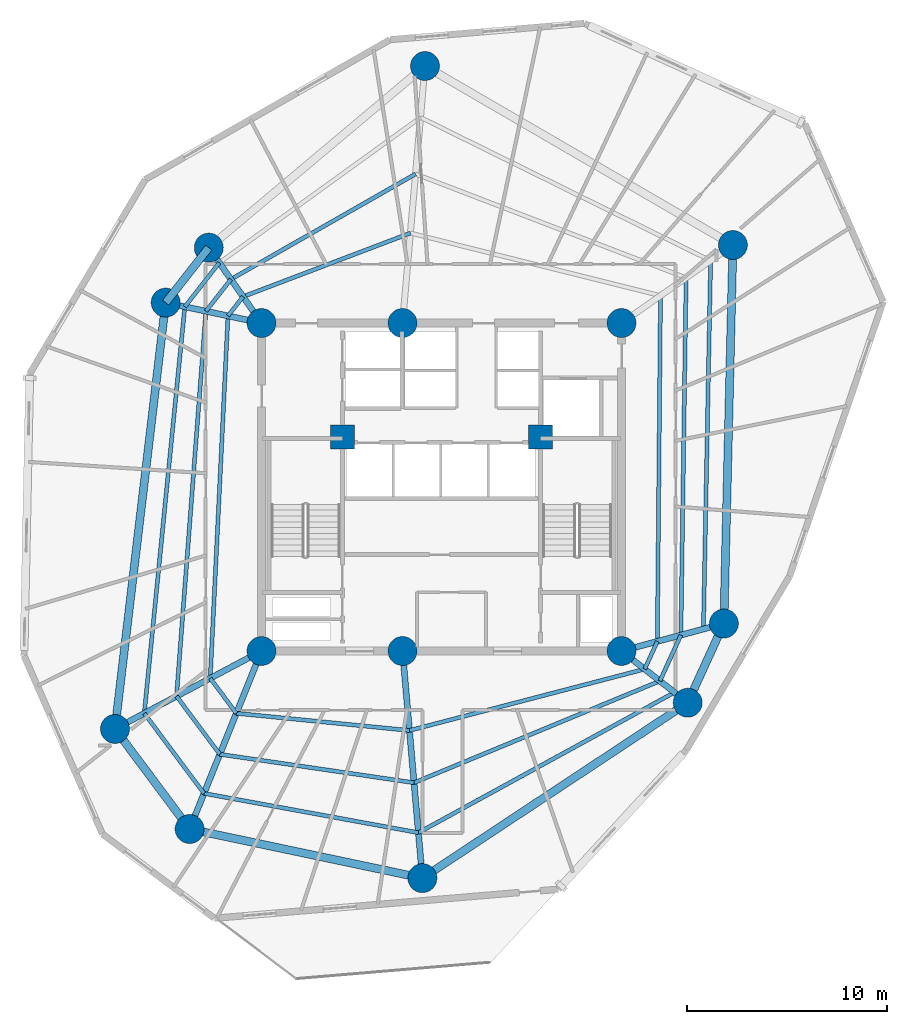
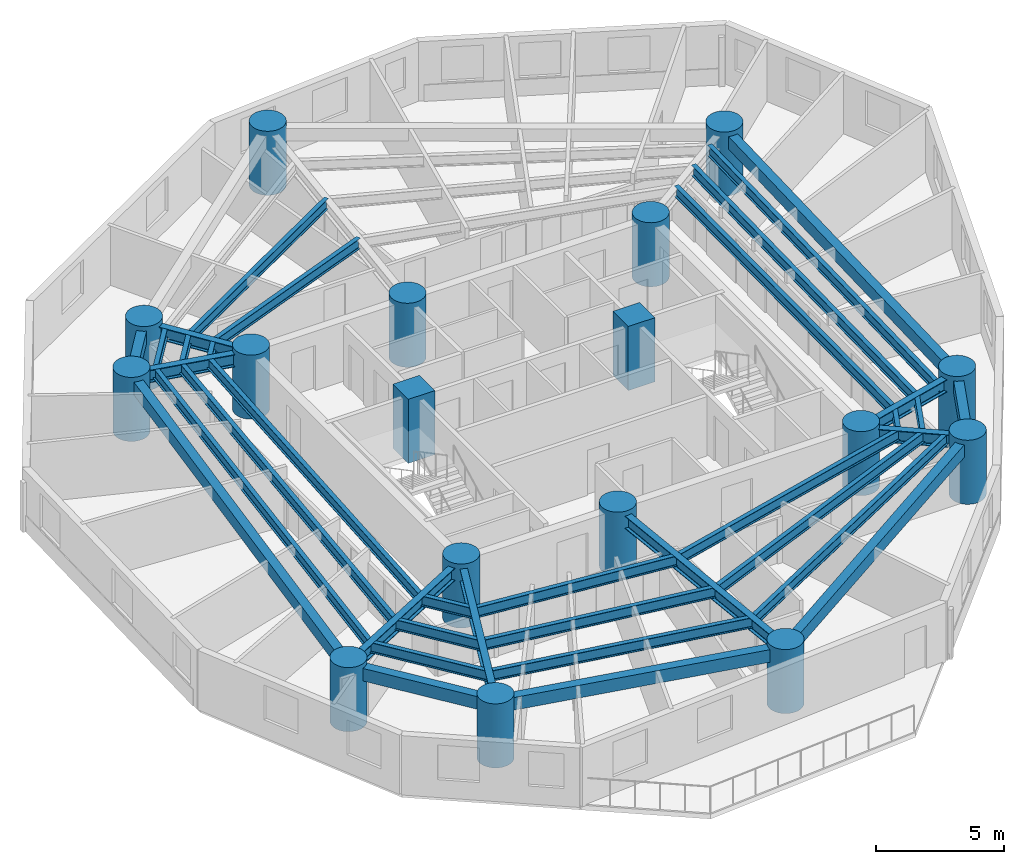
# One storey, part 1 of 10: 36 beams, 17 columns.
"""IFC4 building model written with IfcOpenShell, lengths in metres."""

from ifc_helpers import new_model, si_unit, direction, frame, origin, origin_with_axes, origin_2d, place, context, subcontext, project, spatial, rectangle, circle, i_section, extrude, source, transform, mapped, material, material_profile, profile_set, type_object, element, save


model = new_model("IFC4")

# Units and contexts
model_context = context("Model", 3, precision=1e-05, world=origin(), true_north=direction((0.0, 1.0)))
body_context = subcontext(model_context, "Body", "Model", "MODEL_VIEW")
ifc_project = project(units=[si_unit("LENGTHUNIT", "METRE"), si_unit("AREAUNIT", "SQUARE_METRE"), si_unit("VOLUMEUNIT", "CUBIC_METRE"), si_unit("PLANEANGLEUNIT", "RADIAN"), si_unit("MASSUNIT", "GRAM", prefix="KILO")], contexts=[model_context])

# Site, building, storey
site_placement = place(None, origin())
site = spatial("IfcSite", under=ifc_project, at=site_placement, CompositionType="ELEMENT")
building_placement = place(site_placement, origin())
building = spatial("IfcBuilding", under=site, at=building_placement, Name="Karkom Vertical University and Central Library", CompositionType="ELEMENT")
storey_placement = place(building_placement, frame((0.0, 0.0, 111.449951171875)))
storey = spatial("IfcBuildingStorey", under=building, at=storey_placement, Name="L30", CompositionType="ELEMENT", Elevation=111.449951171875)

# Columns
ifc_material_1 = material(Name="Concrete C50/60", Category="concrete")
ifc_material_profile_1 = material_profile(ifc_material_1, circle(Radius=0.72509765625, at=origin_2d()), Name="CFT-D1450")
ifc_profile_set_1 = profile_set([ifc_material_profile_1], Name="Concrete C50/60")
column_type_1 = type_object("IfcColumnType", Name="STR-COL-C-SC3", PredefinedType="COLUMN", material=ifc_profile_set_1)
shared_shape_1 = source(origin_with_axes(), body_context, "Body", "SweptSolid", [
    extrude(circle(Radius=0.72509765625, at=origin_2d()), origin(), (0.0, 0.0, 1.0), 3.050048828125),
])
for number, where, z_axis, x_axis, name in (
    (1, (19.5, 18.300048828125, 0.0), (0.0, 0.0, 1.0), (1.0, 0.0, 0.0), "Level 30 Spine Mega-Column SC-1"),
    (2, (26.550048828125, 18.300048828125, 0.0), (0.0, 0.0, 1.0), (1.0, 0.0, 0.0), "Level 30 Spine Mega-Column SC-2"),
    (3, (37.5, 18.300048828125, 0.0), (0.0, 0.0, 1.0), (1.0, 0.0, 0.0), "Level 30 Spine Mega-Column SC-3"),
    (4, (19.5, 34.699951171875, 0.0), (0.0, 0.0, 1.0), (1.0, 0.0, 0.0), "Level 30 Spine Mega-Column SC-4"),
    (5, (26.550048828125, 34.699951171875, 0.0), (0.0, 0.0, 1.0), (1.0, 0.0, 0.0), "Level 30 Spine Mega-Column SC-5"),
    (6, (37.5, 34.699951171875, 0.0), (0.0, 0.0, 1.0), (1.0, 0.0, 0.0), "Level 30 Spine Mega-Column SC-6"),
    (7, (42.618896484375, 19.672119140625, 0.0), (0.0, 0.0, 1.0), (1.0, 0.0, 0.0), "Level 30 Perimeter Mega-Column Z2-PC1"),
    (8, (43.070068359375, 38.60009765625, 0.0), (0.0, 0.0, 1.0), (1.0, 0.0, 0.0), "Level 30 Perimeter Mega-Column Z2-PC2"),
    (9, (27.674072265625, 47.551025390625, 0.0), (0.0, 0.0, 1.0), (1.0, 0.0, 0.0), "Level 30 Perimeter Mega-Column Z2-PC3"),
    (10, (16.862060546875, 38.468017578125, 0.0), (0.0, 0.0, 1.0), (1.0, 0.0, 0.0), "Level 30 Perimeter Mega-Column Z2-PC4"),
    (11, (14.70703125, 35.718994140625, 0.0), (0.0, 0.0, 1.0), (1.0, 0.0, 0.0), "Level 30 Perimeter Mega-Column Z2-PC5"),
    (12, (12.172119140625, 14.403076171875, 0.0), (0.0, 0.0, 1.0), (1.0, 0.0, 0.0), "Level 30 Perimeter Mega-Column Z2-PC6"),
    (13, (15.904052734375, 9.39892578125, 0.0), (0.0, 0.0, 1.0), (1.0, 0.0, 0.0), "Level 30 Perimeter Mega-Column Z2-PC7"),
    (14, (27.5439453125, 6.943115234375, 0.0), (0.0, 0.0, 1.0), (1.0, 0.0, 0.0), "Level 30 Perimeter Mega-Column Z2-PC8"),
    (15, (40.81005859375, 15.714111328125, 0.0), (0.0, 0.0, 1.0), (1.0, 0.0, 0.0), "Level 30 Perimeter Mega-Column Z2-PC9"),
):
    element("IfcColumn", number, at=place(storey_placement, frame(where, z_axis=z_axis, x_axis=x_axis)), inside=storey, type_object=column_type_1, Name=name, PredefinedType="COLUMN", context=body_context, shape_type="MappedRepresentation", body=[
        mapped(shared_shape_1, transform((0.0, 0.0, 0.0), scale=1.0)),
    ])
ifc_material_profile_2 = material_profile(ifc_material_1, rectangle(XDim=1.199951171875, YDim=1.199951171875, at=origin_2d()), Name="RC-1200x1200")
ifc_profile_set_2 = profile_set([ifc_material_profile_2], Name="Concrete C50/60")
column_type_2 = type_object("IfcColumnType", Name="STR-COL-C-CC1", PredefinedType="COLUMN", material=ifc_profile_set_2)
shared_shape_2 = source(origin_with_axes(), body_context, "Body", "SweptSolid", [
    extrude(rectangle(XDim=1.199951171875, YDim=1.199951171875, at=origin_2d()), origin(), (0.0, 0.0, 1.0), 3.050048828125),
])
for number, where, z_axis, x_axis, name in (
    (16, (23.550048828125, 29.0, 0.0), (0.0, 0.0, 1.0), (1.0, 0.0, 0.0), "Level 30 Core Node Column CC-1"),
    (17, (33.449951171875, 29.0, 0.0), (0.0, 0.0, 1.0), (1.0, 0.0, 0.0), "Level 30 Core Node Column CC-2"),
):
    element("IfcColumn", number, at=place(storey_placement, frame(where, z_axis=z_axis, x_axis=x_axis)), inside=storey, type_object=column_type_2, Name=name, PredefinedType="COLUMN", context=body_context, shape_type="MappedRepresentation", body=[
        mapped(shared_shape_2, transform((0.0, 0.0, 0.0), scale=1.0)),
    ])

# Beams
ifc_material_2 = material(Name="Precast concrete C45/55", Category="concrete")
ifc_material_profile_3 = material_profile(ifc_material_2, rectangle(XDim=0.39990234375, YDim=0.60009765625, at=origin_2d()), Name="SPB-400x600")
ifc_profile_set_3 = profile_set([ifc_material_profile_3], Name="Precast concrete C45/55")
beam_type_1 = type_object("IfcBeamType", Name="STR-BM-SP-1", PredefinedType="SPANDREL", material=ifc_profile_set_3)
shared_shape_3 = source(origin_with_axes(), body_context, "Body", "SweptSolid", [
    extrude(rectangle(XDim=0.39990234375, YDim=0.60009765625, at=origin_2d()), origin(), (0.0, 0.0, 1.0), 18.933349609375),
])
beam_1_placement = place(storey_placement, frame((42.618896484375, 19.672119140625, 2.525146484375), z_axis=(0.02382947333, 0.999716037783, 0.0), x_axis=(-0.999716037783, 0.02382947333, 0.0)))
element("IfcBeam", 18, at=beam_1_placement, inside=storey, type_object=beam_type_1, Name="Level 30 Perimeter Spandrel Beam 01", PredefinedType="SPANDREL", context=body_context, shape_type="MappedRepresentation", body=[
    mapped(shared_shape_3, transform((0.0, 0.0, 0.0), scale=1.0)),
])
shared_shape_4 = source(origin_with_axes(), body_context, "Body", "SweptSolid", [
    extrude(rectangle(XDim=0.39990234375, YDim=0.60009765625, at=origin_2d()), origin(), (0.0, 0.0, 1.0), 3.492919921875),
])
beam_2_placement = place(storey_placement, frame((16.862060546875, 38.468017578125, 2.525146484375), z_axis=(-0.616950700538, -0.787001799938, 0.0), x_axis=(0.787001799938, -0.616950700538, 0.0)))
element("IfcBeam", 19, at=beam_2_placement, inside=storey, type_object=beam_type_1, Name="Level 30 Perimeter Spandrel Beam 04", PredefinedType="SPANDREL", context=body_context, shape_type="MappedRepresentation", body=[
    mapped(shared_shape_4, transform((0.0, 0.0, 0.0), scale=1.0)),
])
shared_shape_5 = source(origin_with_axes(), body_context, "Body", "SweptSolid", [
    extrude(rectangle(XDim=0.39990234375, YDim=0.60009765625, at=origin_2d()), origin(), (0.0, 0.0, 1.0), 21.466064453125),
])
beam_3_placement = place(storey_placement, frame((14.70703125, 35.718994140625, 2.525146484375), z_axis=(-0.118088996795, -0.993003015522, 0.0), x_axis=(0.993003015522, -0.118088996795, 0.0)))
element("IfcBeam", 20, at=beam_3_placement, inside=storey, type_object=beam_type_1, Name="Level 30 Perimeter Spandrel Beam 05", PredefinedType="SPANDREL", context=body_context, shape_type="MappedRepresentation", body=[
    mapped(shared_shape_5, transform((0.0, 0.0, 0.0), scale=1.0)),
])
shared_shape_6 = source(origin_with_axes(), body_context, "Body", "SweptSolid", [
    extrude(rectangle(XDim=0.39990234375, YDim=0.60009765625, at=origin_2d()), origin(), (0.0, 0.0, 1.0), 6.242431640625),
])
beam_4_placement = place(storey_placement, frame((12.172119140625, 14.403076171875, 2.525146484375), z_axis=(0.59782643552, -0.801625569074, 0.0), x_axis=(0.801625569074, 0.59782643552, 0.0)))
element("IfcBeam", 21, at=beam_4_placement, inside=storey, type_object=beam_type_1, Name="Level 30 Perimeter Spandrel Beam 06", PredefinedType="SPANDREL", context=body_context, shape_type="MappedRepresentation", body=[
    mapped(shared_shape_6, transform((0.0, 0.0, 0.0), scale=1.0)),
])
shared_shape_7 = source(origin_with_axes(), body_context, "Body", "SweptSolid", [
    extrude(rectangle(XDim=0.39990234375, YDim=0.60009765625, at=origin_2d()), origin(), (0.0, 0.0, 1.0), 11.896240234375),
])
beam_5_placement = place(storey_placement, frame((15.904052734375, 9.39892578125, 2.525146484375), z_axis=(0.978459762135, -0.206437627101, 0.0), x_axis=(0.206437627101, 0.978459762135, 0.0)))
element("IfcBeam", 22, at=beam_5_placement, inside=storey, type_object=beam_type_1, Name="Level 30 Perimeter Spandrel Beam 07", PredefinedType="SPANDREL", context=body_context, shape_type="MappedRepresentation", body=[
    mapped(shared_shape_7, transform((0.0, 0.0, 0.0), scale=1.0)),
])
shared_shape_8 = source(origin_with_axes(), body_context, "Body", "SweptSolid", [
    extrude(rectangle(XDim=0.39990234375, YDim=0.60009765625, at=origin_2d()), origin(), (0.0, 0.0, 1.0), 15.903564453125),
])
beam_6_placement = place(storey_placement, frame((27.5439453125, 6.943115234375, 2.525146484375), z_axis=(0.834165069331, 0.551514856652, 0.0), x_axis=(-0.551514856652, 0.834165069331, 0.0)))
element("IfcBeam", 23, at=beam_6_placement, inside=storey, type_object=beam_type_1, Name="Level 30 Perimeter Spandrel Beam 08", PredefinedType="SPANDREL", context=body_context, shape_type="MappedRepresentation", body=[
    mapped(shared_shape_8, transform((0.0, 0.0, 0.0), scale=1.0)),
])
shared_shape_9 = source(origin_with_axes(), body_context, "Body", "SweptSolid", [
    extrude(rectangle(XDim=0.39990234375, YDim=0.60009765625, at=origin_2d()), origin(), (0.0, 0.0, 1.0), 4.351806640625),
])
beam_7_placement = place(storey_placement, frame((40.81005859375, 15.714111328125, 2.525146484375), z_axis=(0.415657668422, 0.909521139217, 0.0), x_axis=(-0.909521139217, 0.415657668422, 0.0)))
element("IfcBeam", 24, at=beam_7_placement, inside=storey, type_object=beam_type_1, Name="Level 30 Perimeter Spandrel Beam 09", PredefinedType="SPANDREL", context=body_context, shape_type="MappedRepresentation", body=[
    mapped(shared_shape_9, transform((0.0, 0.0, 0.0), scale=1.0)),
])
ifc_material_3 = material(Name="Steel S355", Category="steel")
ifc_material_profile_4 = material_profile(ifc_material_3, i_section(OverallWidth=0.199951171875, OverallDepth=0.5, WebThickness=0.01025390625, FlangeThickness=0.01611328125, FilletRadius=0.02099609375, at=origin_2d()), Name="IPE 500")
ifc_profile_set_4 = profile_set([ifc_material_profile_4], Name="Steel S355")
beam_type_2 = type_object("IfcBeamType", Name="STR-BM-SB-IPE500", PredefinedType="BEAM", material=ifc_profile_set_4)
shared_shape_10 = source(origin_with_axes(), body_context, "Body", "SweptSolid", [
    extrude(i_section(OverallWidth=0.199951171875, OverallDepth=0.5, WebThickness=0.01025390625, FlangeThickness=0.01611328125, FilletRadius=0.02099609375, at=origin_2d()), origin(), (0.0, 0.0, 1.0), 17.285400390625),
])
beam_8_placement = place(storey_placement, frame((39.29150390625, 18.7802734375, 2.574951171875), z_axis=(0.009138294648, 0.999958244914, 0.0), x_axis=(-0.999958244914, 0.009138294648, 0.0)))
element("IfcBeam", 25, at=beam_8_placement, inside=storey, type_object=beam_type_2, Name="Level 30 Secondary Composite Floor Beam 1.01", PredefinedType="BEAM", context=body_context, shape_type="MappedRepresentation", body=[
    mapped(shared_shape_10, transform((0.0, 0.0, 0.0), scale=1.0)),
])
shared_shape_11 = source(origin_with_axes(), body_context, "Body", "SweptSolid", [
    extrude(i_section(OverallWidth=0.199951171875, OverallDepth=0.5, WebThickness=0.01025390625, FlangeThickness=0.01611328125, FilletRadius=0.02099609375, at=origin_2d()), origin(), (0.0, 0.0, 1.0), 8.950439453125),
])
beam_9_placement = place(storey_placement, frame((26.943359375, 39.197998046875, 2.574951171875), z_axis=(-0.93478901494, -0.355203459368, 0.0), x_axis=(0.355203459368, -0.93478901494, 0.0)))
element("IfcBeam", 26, at=beam_9_placement, inside=storey, type_object=beam_type_2, Name="Level 30 Secondary Composite Floor Beam 1.03", PredefinedType="BEAM", context=body_context, shape_type="MappedRepresentation", body=[
    mapped(shared_shape_11, transform((0.0, 0.0, 0.0), scale=1.0)),
])
shared_shape_12 = source(origin_with_axes(), body_context, "Body", "SweptSolid", [
    extrude(i_section(OverallWidth=0.199951171875, OverallDepth=0.5, WebThickness=0.01025390625, FlangeThickness=0.01611328125, FilletRadius=0.02099609375, at=origin_2d()), origin(), (0.0, 0.0, 1.0), 1.222412109375),
])
beam_10_placement = place(storey_placement, frame((18.57666015625, 36.018798828125, 2.574951171875), z_axis=(-0.616895037184, -0.787045432677, 0.0), x_axis=(0.787045432677, -0.616895037184, 0.0)))
element("IfcBeam", 27, at=beam_10_placement, inside=storey, type_object=beam_type_2, Name="Level 30 Secondary Composite Floor Beam 1.04", PredefinedType="BEAM", context=body_context, shape_type="MappedRepresentation", body=[
    mapped(shared_shape_12, transform((0.0, 0.0, 0.0), scale=1.0)),
])
shared_shape_13 = source(origin_with_axes(), body_context, "Body", "SweptSolid", [
    extrude(i_section(OverallWidth=0.199951171875, OverallDepth=0.5, WebThickness=0.01025390625, FlangeThickness=0.01611328125, FilletRadius=0.02099609375, at=origin_2d()), origin(), (0.0, 0.0, 1.0), 18.142333984375),
])
beam_11_placement = place(storey_placement, frame((17.822509765625, 35.056640625, 2.574951171875), z_axis=(-0.048902644774, -0.998803549921, 0.0), x_axis=(0.998803549921, -0.048902644774, 0.0)))
element("IfcBeam", 28, at=beam_11_placement, inside=storey, type_object=beam_type_2, Name="Level 30 Secondary Composite Floor Beam 1.05", PredefinedType="BEAM", context=body_context, shape_type="MappedRepresentation", body=[
    mapped(shared_shape_13, transform((0.0, 0.0, 0.0), scale=1.0)),
])
shared_shape_14 = source(origin_with_axes(), body_context, "Body", "SweptSolid", [
    extrude(i_section(OverallWidth=0.199951171875, OverallDepth=0.5, WebThickness=0.01025390625, FlangeThickness=0.01611328125, FilletRadius=0.02099609375, at=origin_2d()), origin(), (0.0, 0.0, 1.0), 2.1845703125),
])
beam_12_placement = place(storey_placement, frame((16.935302734375, 16.93603515625, 2.574951171875), z_axis=(0.597870130664, -0.801592980795, 0.0), x_axis=(0.801592980795, 0.597870130664, 0.0)))
element("IfcBeam", 29, at=beam_12_placement, inside=storey, type_object=beam_type_2, Name="Level 30 Secondary Composite Floor Beam 1.06", PredefinedType="BEAM", context=body_context, shape_type="MappedRepresentation", body=[
    mapped(shared_shape_14, transform((0.0, 0.0, 0.0), scale=1.0)),
])
shared_shape_15 = source(origin_with_axes(), body_context, "Body", "SweptSolid", [
    extrude(i_section(OverallWidth=0.199951171875, OverallDepth=0.5, WebThickness=0.01025390625, FlangeThickness=0.01611328125, FilletRadius=0.02099609375, at=origin_2d()), origin(), (0.0, 0.0, 1.0), 8.698974609375),
])
beam_13_placement = place(storey_placement, frame((18.241455078125, 15.184814453125, 2.574951171875), z_axis=(0.995105588045, -0.098817349903, 0.0), x_axis=(0.098817349903, 0.995105588045, 0.0)))
element("IfcBeam", 30, at=beam_13_placement, inside=storey, type_object=beam_type_2, Name="Level 30 Secondary Composite Floor Beam 1.07", PredefinedType="BEAM", context=body_context, shape_type="MappedRepresentation", body=[
    mapped(shared_shape_15, transform((0.0, 0.0, 0.0), scale=1.0)),
])
shared_shape_16 = source(origin_with_axes(), body_context, "Body", "SweptSolid", [
    extrude(i_section(OverallWidth=0.199951171875, OverallDepth=0.5, WebThickness=0.01025390625, FlangeThickness=0.01611328125, FilletRadius=0.02099609375, at=origin_2d()), origin(), (0.0, 0.0, 1.0), 12.154541015625),
])
beam_14_placement = place(storey_placement, frame((26.89794921875, 14.3251953125, 2.574951171875), z_axis=(0.967579719768, 0.252565805077, 0.0), x_axis=(-0.252565805077, 0.967579719768, 0.0)))
element("IfcBeam", 31, at=beam_14_placement, inside=storey, type_object=beam_type_2, Name="Level 30 Secondary Composite Floor Beam 1.08", PredefinedType="BEAM", context=body_context, shape_type="MappedRepresentation", body=[
    mapped(shared_shape_16, transform((0.0, 0.0, 0.0), scale=1.0)),
])
shared_shape_17 = source(origin_with_axes(), body_context, "Body", "SweptSolid", [
    extrude(i_section(OverallWidth=0.199951171875, OverallDepth=0.5, WebThickness=0.01025390625, FlangeThickness=0.01611328125, FilletRadius=0.02099609375, at=origin_2d()), origin(), (0.0, 0.0, 1.0), 1.52294921875),
])
beam_15_placement = place(storey_placement, frame((38.658447265625, 17.39501953125, 2.574951171875), z_axis=(0.415649898107, 0.909524690266, 0.0), x_axis=(-0.909524690266, 0.415649898107, 0.0)))
element("IfcBeam", 32, at=beam_15_placement, inside=storey, type_object=beam_type_2, Name="Level 30 Secondary Composite Floor Beam 1.09", PredefinedType="BEAM", context=body_context, shape_type="MappedRepresentation", body=[
    mapped(shared_shape_17, transform((0.0, 0.0, 0.0), scale=1.0)),
])
shared_shape_18 = source(origin_with_axes(), body_context, "Body", "SweptSolid", [
    extrude(i_section(OverallWidth=0.199951171875, OverallDepth=0.5, WebThickness=0.01025390625, FlangeThickness=0.01611328125, FilletRadius=0.02099609375, at=origin_2d()), origin(), (0.0, 0.0, 1.0), 17.8681640625),
])
beam_16_placement = place(storey_placement, frame((40.468994140625, 19.095703125, 2.574951171875), z_axis=(0.014647239676, 0.999892723431, 0.0), x_axis=(-0.999892723431, 0.014647239676, 0.0)))
element("IfcBeam", 33, at=beam_16_placement, inside=storey, type_object=beam_type_2, Name="Level 30 Secondary Composite Floor Beam 2.01", PredefinedType="BEAM", context=body_context, shape_type="MappedRepresentation", body=[
    mapped(shared_shape_18, transform((0.0, 0.0, 0.0), scale=1.0)),
])
shared_shape_19 = source(origin_with_axes(), body_context, "Body", "SweptSolid", [
    extrude(i_section(OverallWidth=0.199951171875, OverallDepth=0.5, WebThickness=0.01025390625, FlangeThickness=0.01611328125, FilletRadius=0.02099609375, at=origin_2d()), origin(), (0.0, 0.0, 1.0), 10.629150390625),
])
beam_17_placement = place(storey_placement, frame((27.201904296875, 42.153564453125, 2.574951171875), z_axis=(-0.868539813491, -0.495619402748, 0.0), x_axis=(0.495619402748, -0.868539813491, 0.0)))
element("IfcBeam", 34, at=beam_17_placement, inside=storey, type_object=beam_type_2, Name="Level 30 Secondary Composite Floor Beam 2.03", PredefinedType="BEAM", context=body_context, shape_type="MappedRepresentation", body=[
    mapped(shared_shape_19, transform((0.0, 0.0, 0.0), scale=1.0)),
])
shared_shape_20 = source(origin_with_axes(), body_context, "Body", "SweptSolid", [
    extrude(i_section(OverallWidth=0.199951171875, OverallDepth=0.5, WebThickness=0.01025390625, FlangeThickness=0.01611328125, FilletRadius=0.02099609375, at=origin_2d()), origin(), (0.0, 0.0, 1.0), 2.02587890625),
])
beam_18_placement = place(storey_placement, frame((17.969970703125, 36.885498046875, 2.574951171875), z_axis=(-0.616889733535, -0.787049589708, 0.0), x_axis=(0.787049589708, -0.616889733535, 0.0)))
element("IfcBeam", 35, at=beam_18_placement, inside=storey, type_object=beam_type_2, Name="Level 30 Secondary Composite Floor Beam 2.04", PredefinedType="BEAM", context=body_context, shape_type="MappedRepresentation", body=[
    mapped(shared_shape_20, transform((0.0, 0.0, 0.0), scale=1.0)),
])
shared_shape_21 = source(origin_with_axes(), body_context, "Body", "SweptSolid", [
    extrude(i_section(OverallWidth=0.199951171875, OverallDepth=0.5, WebThickness=0.01025390625, FlangeThickness=0.01611328125, FilletRadius=0.02099609375, at=origin_2d()), origin(), (0.0, 0.0, 1.0), 19.307373046875),
])
beam_19_placement = place(storey_placement, frame((16.72021484375, 35.291015625, 2.574951171875), z_axis=(-0.07616078645, -0.997095549387, 0.0), x_axis=(0.997095549387, -0.07616078645, 0.0)))
element("IfcBeam", 36, at=beam_19_placement, inside=storey, type_object=beam_type_2, Name="Level 30 Secondary Composite Floor Beam 2.05", PredefinedType="BEAM", context=body_context, shape_type="MappedRepresentation", body=[
    mapped(shared_shape_21, transform((0.0, 0.0, 0.0), scale=1.0)),
])
shared_shape_22 = source(origin_with_axes(), body_context, "Body", "SweptSolid", [
    extrude(i_section(OverallWidth=0.199951171875, OverallDepth=0.5, WebThickness=0.01025390625, FlangeThickness=0.01611328125, FilletRadius=0.02099609375, at=origin_2d()), origin(), (0.0, 0.0, 1.0), 3.62060546875),
])
beam_20_placement = place(storey_placement, frame((15.249755859375, 16.039794921875, 2.574951171875), z_axis=(0.59784003707, -0.801615425298, 0.0), x_axis=(0.801615425298, 0.59784003707, 0.0)))
element("IfcBeam", 37, at=beam_20_placement, inside=storey, type_object=beam_type_2, Name="Level 30 Secondary Composite Floor Beam 2.06", PredefinedType="BEAM", context=body_context, shape_type="MappedRepresentation", body=[
    mapped(shared_shape_22, transform((0.0, 0.0, 0.0), scale=1.0)),
])
shared_shape_23 = source(origin_with_axes(), body_context, "Body", "SweptSolid", [
    extrude(i_section(OverallWidth=0.199951171875, OverallDepth=0.5, WebThickness=0.01025390625, FlangeThickness=0.01611328125, FilletRadius=0.02099609375, at=origin_2d()), origin(), (0.0, 0.0, 1.0), 9.816162109375),
])
beam_21_placement = place(storey_placement, frame((17.414306640625, 13.137451171875, 2.574951171875), z_axis=(0.989413295367, -0.145125225069, 0.0), x_axis=(0.145125225069, 0.989413295367, 0.0)))
element("IfcBeam", 38, at=beam_21_placement, inside=storey, type_object=beam_type_2, Name="Level 30 Secondary Composite Floor Beam 2.07", PredefinedType="BEAM", context=body_context, shape_type="MappedRepresentation", body=[
    mapped(shared_shape_23, transform((0.0, 0.0, 0.0), scale=1.0)),
])
shared_shape_24 = source(origin_with_axes(), body_context, "Body", "SweptSolid", [
    extrude(i_section(OverallWidth=0.199951171875, OverallDepth=0.5, WebThickness=0.01025390625, FlangeThickness=0.01611328125, FilletRadius=0.02099609375, at=origin_2d()), origin(), (0.0, 0.0, 1.0), 13.304443359375),
])
beam_22_placement = place(storey_placement, frame((27.12646484375, 11.712890625, 2.574951171875), z_axis=(0.924011243398, 0.382365299255, 0.0), x_axis=(-0.382365299255, 0.924011243398, 0.0)))
element("IfcBeam", 39, at=beam_22_placement, inside=storey, type_object=beam_type_2, Name="Level 30 Secondary Composite Floor Beam 2.08", PredefinedType="BEAM", context=body_context, shape_type="MappedRepresentation", body=[
    mapped(shared_shape_24, transform((0.0, 0.0, 0.0), scale=1.0)),
])
shared_shape_25 = source(origin_with_axes(), body_context, "Body", "SweptSolid", [
    extrude(i_section(OverallWidth=0.199951171875, OverallDepth=0.5, WebThickness=0.01025390625, FlangeThickness=0.01611328125, FilletRadius=0.02099609375, at=origin_2d()), origin(), (0.0, 0.0, 1.0), 2.52392578125),
])
beam_23_placement = place(storey_placement, frame((39.419921875, 16.800048828125, 2.574951171875), z_axis=(0.415638602127, 0.909529852408, 0.0), x_axis=(-0.909529852408, 0.415638602127, 0.0)))
element("IfcBeam", 40, at=beam_23_placement, inside=storey, type_object=beam_type_2, Name="Level 30 Secondary Composite Floor Beam 2.09", PredefinedType="BEAM", context=body_context, shape_type="MappedRepresentation", body=[
    mapped(shared_shape_25, transform((0.0, 0.0, 0.0), scale=1.0)),
])
shared_shape_26 = source(origin_with_axes(), body_context, "Body", "SweptSolid", [
    extrude(i_section(OverallWidth=0.199951171875, OverallDepth=0.5, WebThickness=0.01025390625, FlangeThickness=0.01611328125, FilletRadius=0.02099609375, at=origin_2d()), origin(), (0.0, 0.0, 1.0), 18.42578125),
])
beam_24_placement = place(storey_placement, frame((41.59521484375, 19.397705078125, 2.574951171875), z_axis=(0.019583298818, 0.999808228816, 0.0), x_axis=(-0.999808228816, 0.019583298818, 0.0)))
element("IfcBeam", 41, at=beam_24_placement, inside=storey, type_object=beam_type_2, Name="Level 30 Secondary Composite Floor Beam 3.01", PredefinedType="BEAM", context=body_context, shape_type="MappedRepresentation", body=[
    mapped(shared_shape_26, transform((0.0, 0.0, 0.0), scale=1.0)),
])
shared_shape_27 = source(origin_with_axes(), body_context, "Body", "SweptSolid", [
    extrude(i_section(OverallWidth=0.199951171875, OverallDepth=0.5, WebThickness=0.01025390625, FlangeThickness=0.01611328125, FilletRadius=0.02099609375, at=origin_2d()), origin(), (0.0, 0.0, 1.0), 2.79443359375),
])
beam_25_placement = place(storey_placement, frame((17.3896484375, 37.71435546875, 2.574951171875), z_axis=(-0.616972344898, -0.786984831894, 0.0), x_axis=(0.786984831894, -0.616972344898, 0.0)))
element("IfcBeam", 42, at=beam_25_placement, inside=storey, type_object=beam_type_2, Name="Level 30 Secondary Composite Floor Beam 3.04", PredefinedType="BEAM", context=body_context, shape_type="MappedRepresentation", body=[
    mapped(shared_shape_27, transform((0.0, 0.0, 0.0), scale=1.0)),
])
shared_shape_28 = source(origin_with_axes(), body_context, "Body", "SweptSolid", [
    extrude(i_section(OverallWidth=0.199951171875, OverallDepth=0.5, WebThickness=0.01025390625, FlangeThickness=0.01611328125, FilletRadius=0.02099609375, at=origin_2d()), origin(), (0.0, 0.0, 1.0), 20.43359375),
])
beam_26_placement = place(storey_placement, frame((15.66552734375, 35.51513671875, 2.574951171875), z_axis=(-0.099239913611, -0.995063535432, 0.0), x_axis=(0.995063535432, -0.099239913611, 0.0)))
element("IfcBeam", 43, at=beam_26_placement, inside=storey, type_object=beam_type_2, Name="Level 30 Secondary Composite Floor Beam 3.05", PredefinedType="BEAM", context=body_context, shape_type="MappedRepresentation", body=[
    mapped(shared_shape_28, transform((0.0, 0.0, 0.0), scale=1.0)),
])
shared_shape_29 = source(origin_with_axes(), body_context, "Body", "SweptSolid", [
    extrude(i_section(OverallWidth=0.199951171875, OverallDepth=0.5, WebThickness=0.01025390625, FlangeThickness=0.01611328125, FilletRadius=0.02099609375, at=origin_2d()), origin(), (0.0, 0.0, 1.0), 4.993896484375),
])
beam_27_placement = place(storey_placement, frame((13.6376953125, 15.182373046875, 2.574951171875), z_axis=(0.597846775537, -0.801610399745, 0.0), x_axis=(0.801610399745, 0.597846775537, 0.0)))
element("IfcBeam", 44, at=beam_27_placement, inside=storey, type_object=beam_type_2, Name="Level 30 Secondary Composite Floor Beam 3.06", PredefinedType="BEAM", context=body_context, shape_type="MappedRepresentation", body=[
    mapped(shared_shape_29, transform((0.0, 0.0, 0.0), scale=1.0)),
])
shared_shape_30 = source(origin_with_axes(), body_context, "Body", "SweptSolid", [
    extrude(i_section(OverallWidth=0.199951171875, OverallDepth=0.5, WebThickness=0.01025390625, FlangeThickness=0.01611328125, FilletRadius=0.02099609375, at=origin_2d()), origin(), (0.0, 0.0, 1.0), 10.900390625),
])
beam_28_placement = place(storey_placement, frame((16.623291015625, 11.17919921875, 2.574951171875), z_axis=(0.98362026014, -0.180253110495, 0.0), x_axis=(0.180253110495, 0.98362026014, 0.0)))
element("IfcBeam", 45, at=beam_28_placement, inside=storey, type_object=beam_type_2, Name="Level 30 Secondary Composite Floor Beam 3.07", PredefinedType="BEAM", context=body_context, shape_type="MappedRepresentation", body=[
    mapped(shared_shape_30, transform((0.0, 0.0, 0.0), scale=1.0)),
])
shared_shape_31 = source(origin_with_axes(), body_context, "Body", "SweptSolid", [
    extrude(i_section(OverallWidth=0.199951171875, OverallDepth=0.5, WebThickness=0.01025390625, FlangeThickness=0.01611328125, FilletRadius=0.02099609375, at=origin_2d()), origin(), (0.0, 0.0, 1.0), 14.599609375),
])
beam_29_placement = place(storey_placement, frame((27.34521484375, 9.21435546875, 2.574951171875), z_axis=(0.876928143127, 0.480621505752, 0.0), x_axis=(-0.480621505752, 0.876928143127, 0.0)))
element("IfcBeam", 46, at=beam_29_placement, inside=storey, type_object=beam_type_2, Name="Level 30 Secondary Composite Floor Beam 3.08", PredefinedType="BEAM", context=body_context, shape_type="MappedRepresentation", body=[
    mapped(shared_shape_31, transform((0.0, 0.0, 0.0), scale=1.0)),
])
ifc_material_profile_5 = material_profile(ifc_material_3, i_section(OverallWidth=0.300048828125, OverallDepth=0.60009765625, WebThickness=0.015380859375, FlangeThickness=0.030029296875, FilletRadius=0.027099609375, at=origin_2d()), Name="HE 600 B")
ifc_profile_set_5 = profile_set([ifc_material_profile_5], Name="Steel S355")
beam_type_3 = type_object("IfcBeamType", Name="STR-BM-SB-HE600", PredefinedType="USERDEFINED", material=ifc_profile_set_5)
shared_shape_32 = source(origin_with_axes(), body_context, "Body", "SweptSolid", [
    extrude(i_section(OverallWidth=0.300048828125, OverallDepth=0.60009765625, WebThickness=0.015380859375, FlangeThickness=0.030029296875, FilletRadius=0.027099609375, at=origin_2d()), origin(), (0.0, 0.0, 1.0), 5.299560546875),
])
beam_30_placement = place(storey_placement, frame((37.5, 18.300048828125, 2.525146484375), z_axis=(0.965903833688, 0.258901108663, 0.0), x_axis=(-0.258901108663, 0.965903833688, 0.0)))
element("IfcBeam", 47, at=beam_30_placement, inside=storey, type_object=beam_type_3, Name="Level 30 Radial Frame Girder 01", ObjectType="GIRDER", PredefinedType="USERDEFINED", context=body_context, shape_type="MappedRepresentation", body=[
    mapped(shared_shape_32, transform((0.0, 0.0, 0.0), scale=1.0)),
])
shared_shape_33 = source(origin_with_axes(), body_context, "Body", "SweptSolid", [
    extrude(i_section(OverallWidth=0.300048828125, OverallDepth=0.60009765625, WebThickness=0.015380859375, FlangeThickness=0.030029296875, FilletRadius=0.027099609375, at=origin_2d()), origin(), (0.0, 0.0, 1.0), 4.599609375),
])
beam_31_placement = place(storey_placement, frame((19.5, 34.699951171875, 2.525146484375), z_axis=(-0.573505090764, 0.819201996377, 0.0), x_axis=(-0.819201996377, -0.573505090764, 0.0)))
element("IfcBeam", 48, at=beam_31_placement, inside=storey, type_object=beam_type_3, Name="Level 30 Radial Frame Girder 04", ObjectType="GIRDER", PredefinedType="USERDEFINED", context=body_context, shape_type="MappedRepresentation", body=[
    mapped(shared_shape_33, transform((0.0, 0.0, 0.0), scale=1.0)),
])
shared_shape_34 = source(origin_with_axes(), body_context, "Body", "SweptSolid", [
    extrude(i_section(OverallWidth=0.300048828125, OverallDepth=0.60009765625, WebThickness=0.015380859375, FlangeThickness=0.030029296875, FilletRadius=0.027099609375, at=origin_2d()), origin(), (0.0, 0.0, 1.0), 4.900146484375),
])
beam_32_placement = place(storey_placement, frame((19.5, 34.699951171875, 2.525146484375), z_axis=(-0.978136559131, 0.207963630695, 0.0), x_axis=(-0.207963630695, -0.978136559131, 0.0)))
element("IfcBeam", 49, at=beam_32_placement, inside=storey, type_object=beam_type_3, Name="Level 30 Radial Frame Girder 05", ObjectType="GIRDER", PredefinedType="USERDEFINED", context=body_context, shape_type="MappedRepresentation", body=[
    mapped(shared_shape_34, transform((0.0, 0.0, 0.0), scale=1.0)),
])
shared_shape_35 = source(origin_with_axes(), body_context, "Body", "SweptSolid", [
    extrude(i_section(OverallWidth=0.300048828125, OverallDepth=0.60009765625, WebThickness=0.015380859375, FlangeThickness=0.030029296875, FilletRadius=0.027099609375, at=origin_2d()), origin(), (0.0, 0.0, 1.0), 8.299560546875),
])
beam_33_placement = place(storey_placement, frame((19.5, 18.300048828125, 2.525146484375), z_axis=(-0.882914163564, -0.469534428746, 0.0), x_axis=(0.469534428746, -0.882914163564, 0.0)))
element("IfcBeam", 50, at=beam_33_placement, inside=storey, type_object=beam_type_3, Name="Level 30 Radial Frame Girder 06", ObjectType="GIRDER", PredefinedType="USERDEFINED", context=body_context, shape_type="MappedRepresentation", body=[
    mapped(shared_shape_35, transform((0.0, 0.0, 0.0), scale=1.0)),
])
shared_shape_36 = source(origin_with_axes(), body_context, "Body", "SweptSolid", [
    extrude(i_section(OverallWidth=0.300048828125, OverallDepth=0.60009765625, WebThickness=0.015380859375, FlangeThickness=0.030029296875, FilletRadius=0.027099609375, at=origin_2d()), origin(), (0.0, 0.0, 1.0), 9.60009765625),
])
beam_34_placement = place(storey_placement, frame((19.5, 18.300048828125, 2.525146484375), z_axis=(-0.374576157034, -0.927196151082, 0.0), x_axis=(0.927196151082, -0.374576157034, 0.0)))
element("IfcBeam", 51, at=beam_34_placement, inside=storey, type_object=beam_type_3, Name="Level 30 Radial Frame Girder 07", ObjectType="GIRDER", PredefinedType="USERDEFINED", context=body_context, shape_type="MappedRepresentation", body=[
    mapped(shared_shape_36, transform((0.0, 0.0, 0.0), scale=1.0)),
])
shared_shape_37 = source(origin_with_axes(), body_context, "Body", "SweptSolid", [
    extrude(i_section(OverallWidth=0.300048828125, OverallDepth=0.60009765625, WebThickness=0.015380859375, FlangeThickness=0.030029296875, FilletRadius=0.027099609375, at=origin_2d()), origin(), (0.0, 0.0, 1.0), 11.400390625),
])
beam_35_placement = place(storey_placement, frame((26.550048828125, 18.300048828125, 2.525146484375), z_axis=(0.087181295702, -0.996192462168, 0.0), x_axis=(0.996192462168, 0.087181295702, 0.0)))
element("IfcBeam", 52, at=beam_35_placement, inside=storey, type_object=beam_type_3, Name="Level 30 Radial Frame Girder 08", ObjectType="GIRDER", PredefinedType="USERDEFINED", context=body_context, shape_type="MappedRepresentation", body=[
    mapped(shared_shape_37, transform((0.0, 0.0, 0.0), scale=1.0)),
])
shared_shape_38 = source(origin_with_axes(), body_context, "Body", "SweptSolid", [
    extrude(i_section(OverallWidth=0.300048828125, OverallDepth=0.60009765625, WebThickness=0.015380859375, FlangeThickness=0.030029296875, FilletRadius=0.027099609375, at=origin_2d()), origin(), (0.0, 0.0, 1.0), 4.200439453125),
])
beam_36_placement = place(storey_placement, frame((37.5, 18.300048828125, 2.525146484375), z_axis=(0.788029660796, -0.615637274461, 0.0), x_axis=(0.615637274461, 0.788029660796, 0.0)))
element("IfcBeam", 53, at=beam_36_placement, inside=storey, type_object=beam_type_3, Name="Level 30 Radial Frame Girder 09", ObjectType="GIRDER", PredefinedType="USERDEFINED", context=body_context, shape_type="MappedRepresentation", body=[
    mapped(shared_shape_38, transform((0.0, 0.0, 0.0), scale=1.0)),
])

save(model, "model.ifc")
